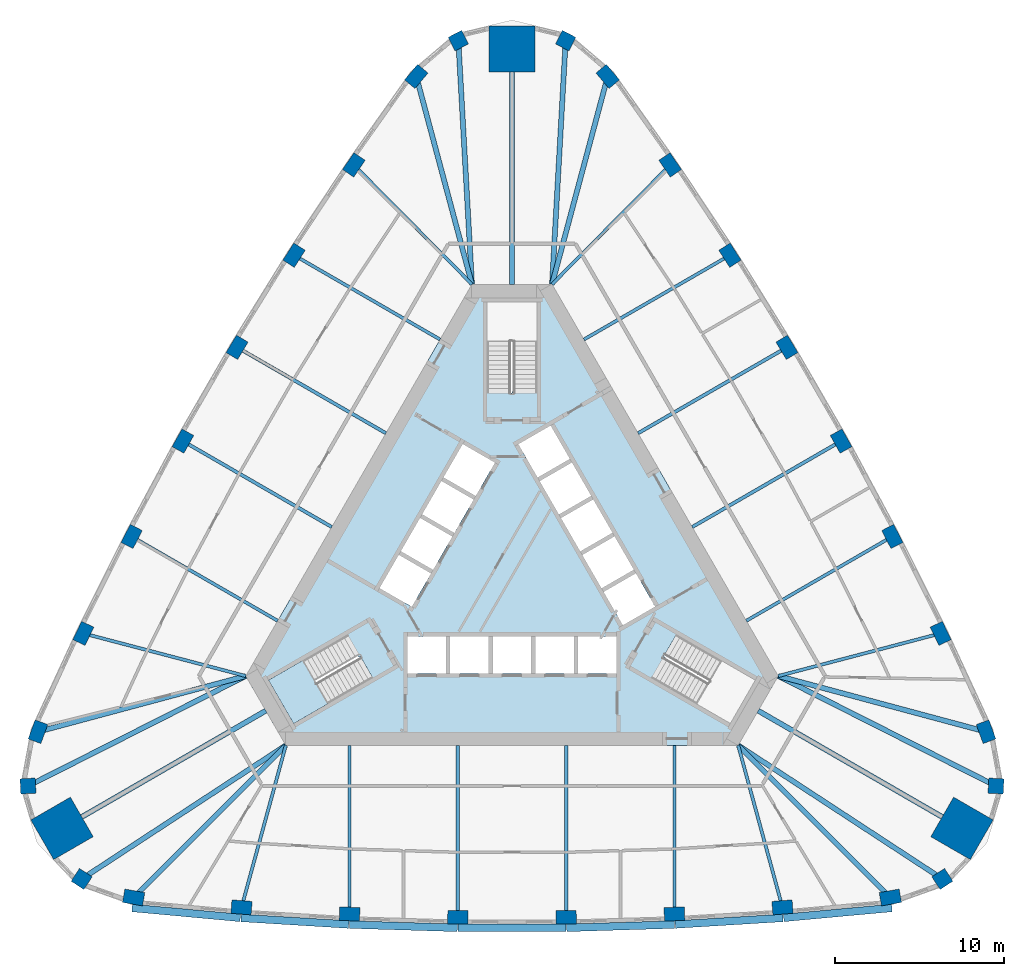
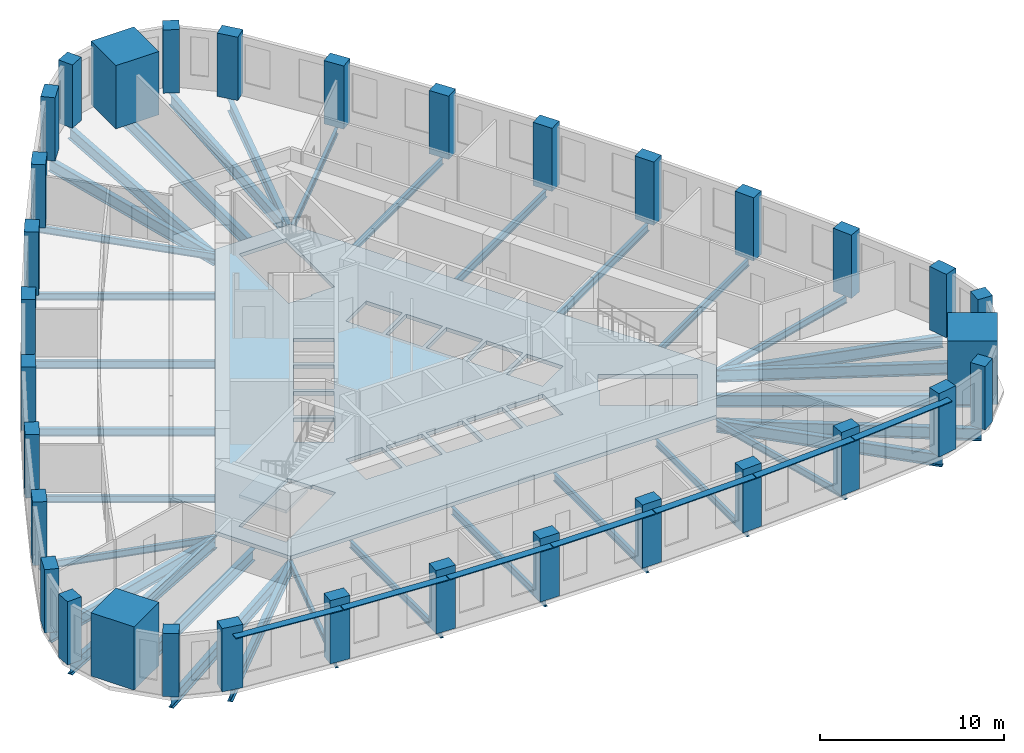
# One storey, part 1 of 10: 33 beams, 33 columns, 7 members, 2 slabs, 1 element without a shape of its own.
"""IFC4 building model written with IfcOpenShell, lengths in metres."""

from ifc_helpers import new_model, si_unit, direction, frame, origin, origin_2d, place, context, subcontext, project, spatial, polyline, rectangle, i_section, outline, extrude, material, layer, layer_set, material_profile, profile_set, type_object, element, aggregate, save


model = new_model("IFC4")

# Units and contexts
model_context = context("Model", 3, precision=1e-05, world=origin(), true_north=direction((0.0, 1.0)))
body_context = subcontext(model_context, "Body", "Model", "MODEL_VIEW")
ifc_project = project(units=[si_unit("LENGTHUNIT", "METRE"), si_unit("AREAUNIT", "SQUARE_METRE"), si_unit("VOLUMEUNIT", "CUBIC_METRE"), si_unit("PLANEANGLEUNIT", "RADIAN"), si_unit("MASSUNIT", "GRAM", prefix="KILO")], contexts=[model_context])

# Site, building, storey
site_placement = place(None, origin())
site = spatial("IfcSite", under=ifc_project, at=site_placement, CompositionType="ELEMENT")
building_placement = place(site_placement, origin())
building = spatial("IfcBuilding", under=site, at=building_placement, Name="Mestral Congress Tower", CompositionType="ELEMENT")
storey_placement = place(building_placement, frame((0.0, 0.0, 141.60009765625)))
storey = spatial("IfcBuildingStorey", under=building, at=storey_placement, Name="L33", CompositionType="ELEMENT", Elevation=141.60009765625)

# Columns
ifc_material_1 = material(Name="Concrete C60/75", Category="concrete")
ifc_material_profile_1 = material_profile(ifc_material_1, rectangle(XDim=1.199951171875, YDim=0.800048828125, at=origin_2d()), Name="RC 1200x800")
ifc_profile_set_1 = profile_set([ifc_material_profile_1], Name="Concrete C60/75")
column_type_1 = type_object("IfcColumnType", Name="Column RC 1200x800 C60/75", PredefinedType="COLUMN", material=ifc_profile_set_1)
for number, where, z_axis, x_axis, name in (
    (1, (-22.357421875, -19.437255859375, 0.0), (0.0, 0.0, 1.0), (0.984571054206, -0.17498525429, 0.0), "COL-L33-C3-S00"),
    (2, (-15.984619140625, -20.0224609375, 0.0), (0.0, 0.0, 1.0), (0.997089725995, -0.076236987842, 0.0), "COL-L33-C3-S01"),
    (3, (-9.5966796875, -20.412841796875, 0.0), (0.0, 0.0, 1.0), (0.998951959915, -0.045770970953, 0.0), "COL-L33-C3-S02"),
    (4, (-3.199951171875, -20.608154296875, 0.0), (0.0, 0.0, 1.0), (0.999883524137, -0.015262311717, 0.0), "COL-L33-C3-S03"),
    (5, (3.199951171875, -20.608154296875, 0.0), (0.0, 0.0, 1.0), (0.999883524137, 0.015262311717, 0.0), "COL-L33-C3-S04"),
    (6, (9.5966796875, -20.412841796875, 0.0), (0.0, 0.0, 1.0), (0.998951959915, 0.045770970953, 0.0), "COL-L33-C3-S05"),
    (7, (15.984619140625, -20.0224609375, 0.0), (0.0, 0.0, 1.0), (0.997089725995, 0.076236987842, 0.0), "COL-L33-C3-S06"),
    (8, (22.357421875, -19.437255859375, 0.0), (0.0, 0.0, 1.0), (0.984571054206, 0.17498525429, 0.0), "COL-L33-C3-S07"),
    (9, (28.01171875, -9.6435546875, 0.0), (0.0, 0.0, 1.0), (-0.340743851601, 0.940156171918, 0.0), "COL-L33-C3-E00"),
    (10, (25.332275390625, -3.831787109375, 0.0), (0.0, 0.0, 1.0), (-0.432521694818, 0.901623526485, 0.0), "COL-L33-C3-E01"),
    (11, (22.476318359375, 1.8955078125, 0.0), (0.0, 0.0, 1.0), (-0.459837156356, 0.888003259923, 0.0), "COL-L33-C3-E02"),
    (12, (19.447265625, 7.532958984375, 0.0), (0.0, 0.0, 1.0), (-0.486724212401, 0.873555688587, 0.0), "COL-L33-C3-E03"),
    (13, (16.247314453125, 13.0751953125, 0.0), (0.0, 0.0, 1.0), (-0.513159311736, 0.85829337687, 0.0), "COL-L33-C3-E04"),
    (14, (12.8798828125, 18.517333984375, 0.0), (0.0, 0.0, 1.0), (-0.539114803559, 0.84223228897, 0.0), "COL-L33-C3-E05"),
    (15, (9.34765625, 23.854248046875, 0.0), (0.0, 0.0, 1.0), (-0.564568031177, 0.825386538643, 0.0), "COL-L33-C3-E06"),
    (16, (5.654296875, 29.080810546875, 0.0), (0.0, 0.0, 1.0), (-0.643827202606, 0.765170917629, 0.0), "COL-L33-C3-E07"),
    (17, (-5.654296875, 29.080810546875, 0.0), (0.0, 0.0, 1.0), (-0.643827202606, -0.765170917629, 0.0), "COL-L33-C3-W00"),
    (18, (-9.34765625, 23.854248046875, 0.0), (0.0, 0.0, 1.0), (-0.564568031177, -0.825386538643, 0.0), "COL-L33-C3-W01"),
    (19, (-12.8798828125, 18.517333984375, 0.0), (0.0, 0.0, 1.0), (-0.539114803559, -0.84223228897, 0.0), "COL-L33-C3-W02"),
    (20, (-16.247314453125, 13.0751953125, 0.0), (0.0, 0.0, 1.0), (-0.513159311736, -0.85829337687, 0.0), "COL-L33-C3-W03"),
    (21, (-19.447265625, 7.532958984375, 0.0), (0.0, 0.0, 1.0), (-0.486724212401, -0.873555688587, 0.0), "COL-L33-C3-W04"),
    (22, (-22.476318359375, 1.8955078125, 0.0), (0.0, 0.0, 1.0), (-0.459837156356, -0.888003259923, 0.0), "COL-L33-C3-W05"),
    (23, (-25.332275390625, -3.831787109375, 0.0), (0.0, 0.0, 1.0), (-0.432521694818, -0.901623526485, 0.0), "COL-L33-C3-W06"),
    (24, (-28.01171875, -9.6435546875, 0.0), (0.0, 0.0, 1.0), (-0.340743851601, -0.940156171918, 0.0), "COL-L33-C3-W07"),
):
    element("IfcColumn", number, at=place(storey_placement, frame(where, z_axis=z_axis, x_axis=x_axis)), inside=storey, type_object=column_type_1, Name=name, PredefinedType="COLUMN", context=body_context, shape_type="SweptSolid", body=[
        extrude(rectangle(XDim=1.199951171875, YDim=0.800048828125, at=origin_2d()), origin(), (0.0, 0.0, 1.0), 4.199951171875),
    ])
ifc_material_profile_2 = material_profile(ifc_material_1, rectangle(XDim=0.89990234375, YDim=0.89990234375, at=origin_2d()), Name="RC 900x900")
ifc_profile_set_2 = profile_set([ifc_material_profile_2], Name="Concrete C60/75")
column_type_2 = type_object("IfcColumnType", Name="Column RC 900x900 C60/75", PredefinedType="COLUMN", material=ifc_profile_set_2)
for number, where, z_axis, x_axis, name in (
    (25, (25.4296875, -18.34375, 0.0), (0.0, 0.0, 1.0), (0.838094050847, 0.545525766518, 0.0), "COL-L33-C3-SE1"),
    (26, (28.60107421875, -12.850830078125, 0.0), (0.0, 0.0, 1.0), (0.0533921468, 0.998573622053, 0.0), "COL-L33-C3-SE3"),
    (27, (3.17138671875, 31.194580078125, 0.0), (0.0, 0.0, 1.0), (-0.891486197647, 0.453047855535, 0.0), "COL-L33-C3-N1"),
    (28, (-3.17138671875, 31.194580078125, 0.0), (0.0, 0.0, 1.0), (-0.891486197647, -0.453047855535, 0.0), "COL-L33-C3-N3"),
    (29, (-28.60107421875, -12.850830078125, 0.0), (0.0, 0.0, 1.0), (0.0533921468, -0.998573622053, 0.0), "COL-L33-C3-SW1"),
    (30, (-25.4296875, -18.34375, 0.0), (0.0, 0.0, 1.0), (0.838094050847, -0.545525766518, 0.0), "COL-L33-C3-SW3"),
):
    element("IfcColumn", number, at=place(storey_placement, frame(where, z_axis=z_axis, x_axis=x_axis)), inside=storey, type_object=column_type_2, Name=name, PredefinedType="COLUMN", context=body_context, shape_type="SweptSolid", body=[
        extrude(rectangle(XDim=0.89990234375, YDim=0.89990234375, at=origin_2d()), origin(), (0.0, 0.0, 1.0), 4.199951171875),
    ])
ifc_material_2 = material(Name="Concrete C70/85", Category="concrete")
ifc_material_profile_3 = material_profile(ifc_material_2, rectangle(XDim=2.699951171875, YDim=2.699951171875, at=origin_2d()), Name="RC 2700x2700")
ifc_profile_set_3 = profile_set([ifc_material_profile_3], Name="Concrete C70/85")
column_type_3 = type_object("IfcColumnType", Name="Mega column RC 2700x2700 C70/85", PredefinedType="COLUMN", material=ifc_profile_set_3)
for number, where, z_axis, x_axis, name in (
    (31, (26.590576171875, -15.35205078125, 0.0), (0.0, 0.0, 1.0), (0.866025403784, -0.5, 0.0), "COL-L33-PY3-SE"),
    (32, (0.0, 30.7041015625, 0.0), (0.0, 0.0, 1.0), (0.0, 1.0, 0.0), "COL-L33-PY3-N"),
    (33, (-26.590576171875, -15.35205078125, 0.0), (0.0, 0.0, 1.0), (-0.866025403784, -0.5, 0.0), "COL-L33-PY3-SW"),
):
    element("IfcColumn", number, at=place(storey_placement, frame(where, z_axis=z_axis, x_axis=x_axis)), inside=storey, type_object=column_type_3, Name=name, PredefinedType="COLUMN", context=body_context, shape_type="SweptSolid", body=[
        extrude(rectangle(XDim=2.699951171875, YDim=2.699951171875, at=origin_2d()), origin(), (0.0, 0.0, 1.0), 4.199951171875),
    ])

# Members
ifc_material_3 = material(Name="Glazed ceramic", Category="masonry")
ifc_material_profile_4 = material_profile(ifc_material_3, rectangle(XDim=0.449951171875, YDim=0.06005859375, at=origin_2d()), Name="Ceramic blade 450 x 60")
ifc_profile_set_4 = profile_set([ifc_material_profile_4], Name="Glazed ceramic")
member_type = type_object("IfcMemberType", Name="Facade sunshade blade 450 x 60", PredefinedType="USERDEFINED", material=ifc_profile_set_4)
member_1_placement = place(storey_placement, frame((-22.451171875, -20.05615234375, 3.679931640625), z_axis=(0.995809919347, -0.091447277326, 0.0), x_axis=(0.091447277326, 0.995809919347, 0.0)))
element("IfcMember", 34, at=member_1_placement, inside=storey, type_object=member_type, Name="Sunshade F0-00", ObjectType="SUNSHADE", PredefinedType="USERDEFINED", context=body_context, shape_type="SweptSolid", body=[
    extrude(rectangle(XDim=0.449951171875, YDim=0.06005859375, at=origin_2d()), origin(), (0.0, 0.0, 1.0), 6.42333984375),
])
member_2_placement = place(storey_placement, frame((-16.009521484375, -20.647216796875, 3.679931640625), z_axis=(0.998138940399, -0.06098078107, 0.0), x_axis=(0.06098078107, 0.998138940399, 0.0)))
element("IfcMember", 35, at=member_2_placement, inside=storey, type_object=member_type, Name="Sunshade F0-01", ObjectType="SUNSHADE", PredefinedType="USERDEFINED", context=body_context, shape_type="SweptSolid", body=[
    extrude(rectangle(XDim=0.449951171875, YDim=0.06005859375, at=origin_2d()), origin(), (0.0, 0.0, 1.0), 6.373779296875),
])
for number, where, z_axis, x_axis, name in (
    (36, (-9.6025390625, -21.0380859375, 3.679931640625), (0.999535044007, -0.03049091343, 0.0), (0.03049091343, 0.999535044007, 0.0), "Sunshade F0-02"),
    (37, (-3.186767578125, -21.233154296875, 3.679931640625), (1.0, 0.0, 0.0), (0.0, 1.0, 0.0), "Sunshade F0-03"),
    (38, (3.23193359375, -21.232421875, 3.679931640625), (0.999535044007, 0.03049091343, 0.0), (-0.03049091343, 0.999535044007, 0.0), "Sunshade F0-04"),
):
    element("IfcMember", number, at=place(storey_placement, frame(where, z_axis=z_axis, x_axis=x_axis)), inside=storey, type_object=member_type, Name=name, ObjectType="SUNSHADE", PredefinedType="USERDEFINED", context=body_context, shape_type="SweptSolid", body=[
        extrude(rectangle(XDim=0.449951171875, YDim=0.06005859375, at=origin_2d()), origin(), (0.0, 0.0, 1.0), 6.37353515625),
    ])
member_3_placement = place(storey_placement, frame((9.647705078125, -21.035888671875, 3.679931640625), z_axis=(0.998138940399, 0.06098078107, 0.0), x_axis=(-0.06098078107, 0.998138940399, 0.0)))
element("IfcMember", 39, at=member_3_placement, inside=storey, type_object=member_type, Name="Sunshade F0-05", ObjectType="SUNSHADE", PredefinedType="USERDEFINED", context=body_context, shape_type="SweptSolid", body=[
    extrude(rectangle(XDim=0.449951171875, YDim=0.06005859375, at=origin_2d()), origin(), (0.0, 0.0, 1.0), 6.373779296875),
])
member_4_placement = place(storey_placement, frame((16.0546875, -20.6435546875, 3.679931640625), z_axis=(0.995809919347, 0.091447277326, 0.0), x_axis=(-0.091447277326, 0.995809919347, 0.0)))
element("IfcMember", 40, at=member_4_placement, inside=storey, type_object=member_type, Name="Sunshade F0-06", ObjectType="SUNSHADE", PredefinedType="USERDEFINED", context=body_context, shape_type="SweptSolid", body=[
    extrude(rectangle(XDim=0.449951171875, YDim=0.06005859375, at=origin_2d()), origin(), (0.0, 0.0, 1.0), 6.42333984375),
])

# Beams
ifc_material_4 = material(Name="Steel S355", Category="steel")
ifc_material_profile_5 = material_profile(ifc_material_4, i_section(OverallWidth=0.300048828125, OverallDepth=0.800048828125, WebThickness=0.017578125, FlangeThickness=0.032958984375, FilletRadius=0.030029296875, at=origin_2d()), Name="HEB 800")
ifc_profile_set_5 = profile_set([ifc_material_profile_5], Name="Steel S355")
beam_type_1 = type_object("IfcBeamType", Name="Floor beam HEB 800 S355", PredefinedType="BEAM", material=ifc_profile_set_5)
for number, where, z_axis, x_axis, name in (
    (41, (-22.357421875, -19.437255859375, -0.650146484375), (0.707279595154, 0.706933924974, 0.0), (-0.706933924974, 0.707279595154, 0.0), "BM-L33-RB3-S00"),
    (42, (22.357421875, -19.437255859375, -0.650146484375), (-0.707279595154, 0.706933924974, 0.0), (-0.706933924974, -0.707279595154, 0.0), "BM-L33-RB3-S07"),
):
    element("IfcBeam", number, at=place(storey_placement, frame(where, z_axis=z_axis, x_axis=x_axis)), inside=storey, type_object=beam_type_1, Name=name, PredefinedType="BEAM", context=body_context, shape_type="SweptSolid", body=[
        extrude(i_section(OverallWidth=0.300048828125, OverallDepth=0.800048828125, WebThickness=0.017578125, FlangeThickness=0.032958984375, FilletRadius=0.030029296875, at=origin_2d()), origin(), (0.0, 0.0, 1.0), 12.713134765625),
    ])
beam_1_placement = place(storey_placement, frame((25.4296875, -18.34375, -0.650146484375), z_axis=(-0.836784606531, 0.547532211174, 0.0), x_axis=(-0.547532211174, -0.836784606531, 0.0)))
element("IfcBeam", 43, at=beam_1_placement, inside=storey, type_object=beam_type_1, Name="BM-L33-RB3-SE1", PredefinedType="BEAM", context=body_context, shape_type="SweptSolid", body=[
    extrude(i_section(OverallWidth=0.300048828125, OverallDepth=0.800048828125, WebThickness=0.017578125, FlangeThickness=0.032958984375, FilletRadius=0.030029296875, at=origin_2d()), origin(), (0.0, 0.0, 1.0), 14.4169921875),
])
beam_2_placement = place(storey_placement, frame((26.590576171875, -15.35205078125, -0.650146484375), z_axis=(-0.866033538886, 0.499985909326, 0.0), x_axis=(-0.499985909326, -0.866033538886, 0.0)))
element("IfcBeam", 44, at=beam_2_placement, inside=storey, type_object=beam_type_1, Name="BM-L33-RB3-SE", PredefinedType="BEAM", context=body_context, shape_type="SweptSolid", body=[
    extrude(i_section(OverallWidth=0.300048828125, OverallDepth=0.800048828125, WebThickness=0.017578125, FlangeThickness=0.032958984375, FilletRadius=0.030029296875, at=origin_2d()), origin(), (0.0, 0.0, 1.0), 13.904296875),
])
beam_3_placement = place(storey_placement, frame((28.60107421875, -12.850830078125, -0.650146484375), z_axis=(-0.892570324635, 0.450908211924, 0.0), x_axis=(-0.450908211924, -0.892570324635, 0.0)))
element("IfcBeam", 45, at=beam_3_placement, inside=storey, type_object=beam_type_1, Name="BM-L33-RB3-SE3", PredefinedType="BEAM", context=body_context, shape_type="SweptSolid", body=[
    extrude(i_section(OverallWidth=0.300048828125, OverallDepth=0.800048828125, WebThickness=0.017578125, FlangeThickness=0.032958984375, FilletRadius=0.030029296875, at=origin_2d()), origin(), (0.0, 0.0, 1.0), 14.4169921875),
])
beam_4_placement = place(storey_placement, frame((28.01171875, -9.6435546875, -0.650146484375), z_axis=(-0.965859716189, 0.259065645433, 0.0), x_axis=(-0.259065645433, -0.965859716189, 0.0)))
element("IfcBeam", 46, at=beam_4_placement, inside=storey, type_object=beam_type_1, Name="BM-L33-RB3-E00", PredefinedType="BEAM", context=body_context, shape_type="SweptSolid", body=[
    extrude(i_section(OverallWidth=0.300048828125, OverallDepth=0.800048828125, WebThickness=0.017578125, FlangeThickness=0.032958984375, FilletRadius=0.030029296875, at=origin_2d()), origin(), (0.0, 0.0, 1.0), 12.712890625),
])
beam_5_placement = place(storey_placement, frame((5.654296875, 29.080810546875, -0.650146484375), z_axis=(-0.258561377452, -0.965994831296, 0.0), x_axis=(0.965994831296, -0.258561377452, 0.0)))
element("IfcBeam", 47, at=beam_5_placement, inside=storey, type_object=beam_type_1, Name="BM-L33-RB3-E07", PredefinedType="BEAM", context=body_context, shape_type="SweptSolid", body=[
    extrude(i_section(OverallWidth=0.300048828125, OverallDepth=0.800048828125, WebThickness=0.017578125, FlangeThickness=0.032958984375, FilletRadius=0.030029296875, at=origin_2d()), origin(), (0.0, 0.0, 1.0), 12.713134765625),
])
beam_6_placement = place(storey_placement, frame((3.17138671875, 31.194580078125, -0.650146484375), z_axis=(-0.055781398587, -0.99844300567, 0.0), x_axis=(0.99844300567, -0.055781398587, 0.0)))
element("IfcBeam", 48, at=beam_6_placement, inside=storey, type_object=beam_type_1, Name="BM-L33-RB3-N1", PredefinedType="BEAM", context=body_context, shape_type="SweptSolid", body=[
    extrude(i_section(OverallWidth=0.300048828125, OverallDepth=0.800048828125, WebThickness=0.017578125, FlangeThickness=0.032958984375, FilletRadius=0.030029296875, at=origin_2d()), origin(), (0.0, 0.0, 1.0), 14.4169921875),
])
beam_7_placement = place(storey_placement, frame((0.0, 30.7041015625, -0.650146484375), z_axis=(0.0, -1.0, 0.0), x_axis=(1.0, 0.0, 0.0)))
element("IfcBeam", 49, at=beam_7_placement, inside=storey, type_object=beam_type_1, Name="BM-L33-RB3-N", PredefinedType="BEAM", context=body_context, shape_type="SweptSolid", body=[
    extrude(i_section(OverallWidth=0.300048828125, OverallDepth=0.800048828125, WebThickness=0.017578125, FlangeThickness=0.032958984375, FilletRadius=0.030029296875, at=origin_2d()), origin(), (0.0, 0.0, 1.0), 13.904052734375),
])
beam_8_placement = place(storey_placement, frame((-3.17138671875, 31.194580078125, -0.650146484375), z_axis=(0.055781398587, -0.99844300567, 0.0), x_axis=(0.99844300567, 0.055781398587, 0.0)))
element("IfcBeam", 50, at=beam_8_placement, inside=storey, type_object=beam_type_1, Name="BM-L33-RB3-N3", PredefinedType="BEAM", context=body_context, shape_type="SweptSolid", body=[
    extrude(i_section(OverallWidth=0.300048828125, OverallDepth=0.800048828125, WebThickness=0.017578125, FlangeThickness=0.032958984375, FilletRadius=0.030029296875, at=origin_2d()), origin(), (0.0, 0.0, 1.0), 14.4169921875),
])
beam_9_placement = place(storey_placement, frame((-5.654296875, 29.080810546875, -0.650146484375), z_axis=(0.258561377452, -0.965994831296, 0.0), x_axis=(0.965994831296, 0.258561377452, 0.0)))
element("IfcBeam", 51, at=beam_9_placement, inside=storey, type_object=beam_type_1, Name="BM-L33-RB3-W00", PredefinedType="BEAM", context=body_context, shape_type="SweptSolid", body=[
    extrude(i_section(OverallWidth=0.300048828125, OverallDepth=0.800048828125, WebThickness=0.017578125, FlangeThickness=0.032958984375, FilletRadius=0.030029296875, at=origin_2d()), origin(), (0.0, 0.0, 1.0), 12.713134765625),
])
beam_10_placement = place(storey_placement, frame((-28.01171875, -9.6435546875, -0.650146484375), z_axis=(0.965859716189, 0.259065645433, 0.0), x_axis=(-0.259065645433, 0.965859716189, 0.0)))
element("IfcBeam", 52, at=beam_10_placement, inside=storey, type_object=beam_type_1, Name="BM-L33-RB3-W07", PredefinedType="BEAM", context=body_context, shape_type="SweptSolid", body=[
    extrude(i_section(OverallWidth=0.300048828125, OverallDepth=0.800048828125, WebThickness=0.017578125, FlangeThickness=0.032958984375, FilletRadius=0.030029296875, at=origin_2d()), origin(), (0.0, 0.0, 1.0), 12.712890625),
])
beam_11_placement = place(storey_placement, frame((-28.60107421875, -12.850830078125, -0.650146484375), z_axis=(0.892570324635, 0.450908211924, 0.0), x_axis=(-0.450908211924, 0.892570324635, 0.0)))
element("IfcBeam", 53, at=beam_11_placement, inside=storey, type_object=beam_type_1, Name="BM-L33-RB3-SW1", PredefinedType="BEAM", context=body_context, shape_type="SweptSolid", body=[
    extrude(i_section(OverallWidth=0.300048828125, OverallDepth=0.800048828125, WebThickness=0.017578125, FlangeThickness=0.032958984375, FilletRadius=0.030029296875, at=origin_2d()), origin(), (0.0, 0.0, 1.0), 14.4169921875),
])
beam_12_placement = place(storey_placement, frame((-26.590576171875, -15.35205078125, -0.650146484375), z_axis=(0.866033538886, 0.499985909326, 0.0), x_axis=(-0.499985909326, 0.866033538886, 0.0)))
element("IfcBeam", 54, at=beam_12_placement, inside=storey, type_object=beam_type_1, Name="BM-L33-RB3-SW", PredefinedType="BEAM", context=body_context, shape_type="SweptSolid", body=[
    extrude(i_section(OverallWidth=0.300048828125, OverallDepth=0.800048828125, WebThickness=0.017578125, FlangeThickness=0.032958984375, FilletRadius=0.030029296875, at=origin_2d()), origin(), (0.0, 0.0, 1.0), 13.904296875),
])
beam_13_placement = place(storey_placement, frame((-25.4296875, -18.34375, -0.650146484375), z_axis=(0.836784606531, 0.547532211174, 0.0), x_axis=(-0.547532211174, 0.836784606531, 0.0)))
element("IfcBeam", 55, at=beam_13_placement, inside=storey, type_object=beam_type_1, Name="BM-L33-RB3-SW3", PredefinedType="BEAM", context=body_context, shape_type="SweptSolid", body=[
    extrude(i_section(OverallWidth=0.300048828125, OverallDepth=0.800048828125, WebThickness=0.017578125, FlangeThickness=0.032958984375, FilletRadius=0.030029296875, at=origin_2d()), origin(), (0.0, 0.0, 1.0), 14.4169921875),
])
ifc_material_profile_6 = material_profile(ifc_material_4, i_section(OverallWidth=0.18994140625, OverallDepth=0.449951171875, WebThickness=0.009521484375, FlangeThickness=0.0146484375, FilletRadius=0.02099609375, at=origin_2d()), Name="IPE 450")
ifc_profile_set_6 = profile_set([ifc_material_profile_6], Name="Steel S355")
beam_type_2 = type_object("IfcBeamType", Name="Floor beam IPE 450 S355", PredefinedType="BEAM", material=ifc_profile_set_6)
beam_14_placement = place(storey_placement, frame((-15.984619140625, -20.0224609375, -0.47509765625), z_axis=(0.263887500815, 0.964553465036, 0.0), x_axis=(-0.964553465036, 0.263887500815, 0.0)))
element("IfcBeam", 56, at=beam_14_placement, inside=storey, type_object=beam_type_2, Name="BM-L33-RB3-S01", PredefinedType="BEAM", context=body_context, shape_type="SweptSolid", body=[
    extrude(i_section(OverallWidth=0.18994140625, OverallDepth=0.449951171875, WebThickness=0.009521484375, FlangeThickness=0.0146484375, FilletRadius=0.02099609375, at=origin_2d()), origin(), (0.0, 0.0, 1.0), 9.92431640625),
])
for number, where, z_axis, x_axis, name in (
    (57, (-9.5966796875, -20.412841796875, -0.47509765625), (0.0, 1.0, 0.0), (-1.0, 0.0, 0.0), "BM-L33-RB3-S02"),
    (58, (9.5966796875, -20.412841796875, -0.47509765625), (0.0, 1.0, 0.0), (-1.0, 0.0, 0.0), "BM-L33-RB3-S05"),
):
    element("IfcBeam", number, at=place(storey_placement, frame(where, z_axis=z_axis, x_axis=x_axis)), inside=storey, type_object=beam_type_2, Name=name, PredefinedType="BEAM", context=body_context, shape_type="SweptSolid", body=[
        extrude(i_section(OverallWidth=0.18994140625, OverallDepth=0.449951171875, WebThickness=0.009521484375, FlangeThickness=0.0146484375, FilletRadius=0.02099609375, at=origin_2d()), origin(), (0.0, 0.0, 1.0), 9.962890625),
    ])
for number, where, z_axis, x_axis, name in (
    (59, (15.984619140625, -20.0224609375, -0.47509765625), (-0.263887500815, 0.964553465036, 0.0), (-0.964553465036, -0.263887500815, 0.0), "BM-L33-RB3-S06"),
    (60, (25.332275390625, -3.831787109375, -0.47509765625), (-0.967268637676, -0.253754571521, 0.0), (0.253754571521, -0.967268637676, 0.0), "BM-L33-RB3-E01"),
):
    element("IfcBeam", number, at=place(storey_placement, frame(where, z_axis=z_axis, x_axis=x_axis)), inside=storey, type_object=beam_type_2, Name=name, PredefinedType="BEAM", context=body_context, shape_type="SweptSolid", body=[
        extrude(i_section(OverallWidth=0.18994140625, OverallDepth=0.449951171875, WebThickness=0.009521484375, FlangeThickness=0.0146484375, FilletRadius=0.02099609375, at=origin_2d()), origin(), (0.0, 0.0, 1.0), 9.92431640625),
    ])
beam_15_placement = place(storey_placement, frame((22.476318359375, 1.8955078125, -0.47509765625), z_axis=(-0.866020719064, -0.500008114086, 0.0), x_axis=(0.500008114086, -0.866020719064, 0.0)))
element("IfcBeam", 61, at=beam_15_placement, inside=storey, type_object=beam_type_2, Name="BM-L33-RB3-E02", PredefinedType="BEAM", context=body_context, shape_type="SweptSolid", body=[
    extrude(i_section(OverallWidth=0.18994140625, OverallDepth=0.449951171875, WebThickness=0.009521484375, FlangeThickness=0.0146484375, FilletRadius=0.02099609375, at=origin_2d()), origin(), (0.0, 0.0, 1.0), 9.962646484375),
])
beam_16_placement = place(storey_placement, frame((12.8798828125, 18.517333984375, -0.47509765625), z_axis=(-0.866026845417, -0.49999750301, 0.0), x_axis=(0.49999750301, -0.866026845417, 0.0)))
element("IfcBeam", 62, at=beam_16_placement, inside=storey, type_object=beam_type_2, Name="BM-L33-RB3-E05", PredefinedType="BEAM", context=body_context, shape_type="SweptSolid", body=[
    extrude(i_section(OverallWidth=0.18994140625, OverallDepth=0.449951171875, WebThickness=0.009521484375, FlangeThickness=0.0146484375, FilletRadius=0.02099609375, at=origin_2d()), origin(), (0.0, 0.0, 1.0), 9.962890625),
])
for number, where, z_axis, x_axis, name in (
    (63, (9.34765625, 23.854248046875, -0.47509765625), (-0.703382322759, -0.710811724741, 0.0), (0.710811724741, -0.703382322759, 0.0), "BM-L33-RB3-E06"),
    (64, (-9.34765625, 23.854248046875, -0.47509765625), (0.703382322759, -0.710811724741, 0.0), (0.710811724741, 0.703382322759, 0.0), "BM-L33-RB3-W01"),
):
    element("IfcBeam", number, at=place(storey_placement, frame(where, z_axis=z_axis, x_axis=x_axis)), inside=storey, type_object=beam_type_2, Name=name, PredefinedType="BEAM", context=body_context, shape_type="SweptSolid", body=[
        extrude(i_section(OverallWidth=0.18994140625, OverallDepth=0.449951171875, WebThickness=0.009521484375, FlangeThickness=0.0146484375, FilletRadius=0.02099609375, at=origin_2d()), origin(), (0.0, 0.0, 1.0), 9.924072265625),
    ])
beam_17_placement = place(storey_placement, frame((-12.8798828125, 18.517333984375, -0.47509765625), z_axis=(0.866026845417, -0.49999750301, 0.0), x_axis=(0.49999750301, 0.866026845417, 0.0)))
element("IfcBeam", 65, at=beam_17_placement, inside=storey, type_object=beam_type_2, Name="BM-L33-RB3-W02", PredefinedType="BEAM", context=body_context, shape_type="SweptSolid", body=[
    extrude(i_section(OverallWidth=0.18994140625, OverallDepth=0.449951171875, WebThickness=0.009521484375, FlangeThickness=0.0146484375, FilletRadius=0.02099609375, at=origin_2d()), origin(), (0.0, 0.0, 1.0), 9.962890625),
])
beam_18_placement = place(storey_placement, frame((-22.476318359375, 1.8955078125, -0.47509765625), z_axis=(0.866020719064, -0.500008114086, 0.0), x_axis=(0.500008114086, 0.866020719064, 0.0)))
element("IfcBeam", 66, at=beam_18_placement, inside=storey, type_object=beam_type_2, Name="BM-L33-RB3-W05", PredefinedType="BEAM", context=body_context, shape_type="SweptSolid", body=[
    extrude(i_section(OverallWidth=0.18994140625, OverallDepth=0.449951171875, WebThickness=0.009521484375, FlangeThickness=0.0146484375, FilletRadius=0.02099609375, at=origin_2d()), origin(), (0.0, 0.0, 1.0), 9.962646484375),
])
beam_19_placement = place(storey_placement, frame((-25.332275390625, -3.831787109375, -0.47509765625), z_axis=(0.967268637676, -0.253754571521, 0.0), x_axis=(0.253754571521, 0.967268637676, 0.0)))
element("IfcBeam", 67, at=beam_19_placement, inside=storey, type_object=beam_type_2, Name="BM-L33-RB3-W06", PredefinedType="BEAM", context=body_context, shape_type="SweptSolid", body=[
    extrude(i_section(OverallWidth=0.18994140625, OverallDepth=0.449951171875, WebThickness=0.009521484375, FlangeThickness=0.0146484375, FilletRadius=0.02099609375, at=origin_2d()), origin(), (0.0, 0.0, 1.0), 9.92431640625),
])
ifc_material_profile_7 = material_profile(ifc_material_4, i_section(OverallWidth=0.199951171875, OverallDepth=0.5, WebThickness=0.01025390625, FlangeThickness=0.01611328125, FilletRadius=0.02099609375, at=origin_2d()), Name="IPE 500")
ifc_profile_set_7 = profile_set([ifc_material_profile_7], Name="Steel S355")
beam_type_3 = type_object("IfcBeamType", Name="Floor beam IPE 500 S355", PredefinedType="BEAM", material=ifc_profile_set_7)
for number, where, z_axis, x_axis, name in (
    (68, (-3.199951171875, -20.608154296875, -0.5), (0.0, 1.0, 0.0), (-1.0, 0.0, 0.0), "BM-L33-RB3-S03"),
    (69, (3.199951171875, -20.608154296875, -0.5), (0.0, 1.0, 0.0), (-1.0, 0.0, 0.0), "BM-L33-RB3-S04"),
    (70, (19.447265625, 7.532958984375, -0.5), (-0.866027897259, -0.49999568115, 0.0), (0.49999568115, -0.866027897259, 0.0), "BM-L33-RB3-E03"),
    (71, (16.247314453125, 13.0751953125, -0.5), (-0.866027897259, -0.49999568115, 0.0), (0.49999568115, -0.866027897259, 0.0), "BM-L33-RB3-E04"),
    (72, (-16.247314453125, 13.0751953125, -0.5), (0.866027897259, -0.49999568115, 0.0), (0.49999568115, 0.866027897259, 0.0), "BM-L33-RB3-W03"),
    (73, (-19.447265625, 7.532958984375, -0.5), (0.866027897259, -0.49999568115, 0.0), (0.49999568115, 0.866027897259, 0.0), "BM-L33-RB3-W04"),
):
    element("IfcBeam", number, at=place(storey_placement, frame(where, z_axis=z_axis, x_axis=x_axis)), inside=storey, type_object=beam_type_3, Name=name, PredefinedType="BEAM", context=body_context, shape_type="SweptSolid", body=[
        extrude(i_section(OverallWidth=0.199951171875, OverallDepth=0.5, WebThickness=0.01025390625, FlangeThickness=0.01611328125, FilletRadius=0.02099609375, at=origin_2d()), origin(), (0.0, 0.0, 1.0), 10.158203125),
    ])

# Slab
ifc_layer_1 = layer(ifc_material_1, 0.25)
ifc_layer_set_1 = layer_set([ifc_layer_1], Name="Concrete C60/75")
slab_type_1 = type_object("IfcSlabType", Name="Core floor slab RC 250", PredefinedType="FLOOR", material=ifc_layer_set_1)
slab_1_placement = place(storey_placement, frame((0.0, 0.0, -0.25)))
element("IfcSlab", 74, at=slab_1_placement, inside=storey, type_object=slab_type_1, Name="L33 core floor", PredefinedType="FLOOR", context=body_context, shape_type="SweptSolid", body=[
    extrude(outline(polyline([(13.36572265625, -10.449951171875), (-13.36572265625, -10.449951171875), (-15.73291015625, -6.35009765625), (-2.3671875, 16.800048828125), (2.3671875, 16.800048828125), (15.73291015625, -6.35009765625), (13.36572265625, -10.449951171875)]), holes=[polyline([(-9.8046875, -3.95751953125), (-14.37744140625, -6.59765625), (-12.90234375, -9.15234375), (-8.234619140625, -6.45751953125), (-8.971923828125, -5.179931640625), (-9.0673828125, -5.235107421875), (-9.8046875, -3.95751953125)]), polyline([(-3.905029296875, -4.0), (-6.175048828125, -4.0), (-6.175048828125, -6.199951171875), (-3.905029296875, -6.199951171875), (-3.905029296875, -4.0)]), polyline([(-1.385009765625, -4.0), (-3.655029296875, -4.0), (-3.655029296875, -6.199951171875), (-1.385009765625, -6.199951171875), (-1.385009765625, -4.0)]), polyline([(1.135009765625, -4.0), (-1.135009765625, -4.0), (-1.135009765625, -6.199951171875), (1.135009765625, -6.199951171875), (1.135009765625, -4.0)]), polyline([(-5.921630859375, -2.256591796875), (-4.78662109375, -0.29052734375), (-6.69189453125, 0.809326171875), (-7.826904296875, -1.156494140625), (-5.921630859375, -2.256591796875)]), polyline([(-4.66162109375, -0.07421875), (-3.526611328125, 1.8916015625), (-5.431884765625, 2.99169921875), (-6.56689453125, 1.02587890625), (-4.66162109375, -0.07421875)]), polyline([(-3.401611328125, 2.1083984375), (-2.2666015625, 4.07421875), (-4.171875, 5.174072265625), (-5.306884765625, 3.208251953125), (-3.401611328125, 2.1083984375)]), polyline([(-2.1416015625, 4.29052734375), (-1.006591796875, 6.256591796875), (-2.911865234375, 7.3564453125), (-4.046875, 5.390625), (-2.1416015625, 4.29052734375)]), polyline([(1.47509765625, 10.469970703125), (1.47509765625, 15.75), (-1.47509765625, 15.75), (-1.47509765625, 10.360107421875), (0.0, 10.360107421875), (0.0, 10.469970703125), (1.47509765625, 10.469970703125)]), polyline([(8.329833984375, -6.512451171875), (12.90234375, -9.15234375), (14.37744140625, -6.59765625), (9.70947265625, -3.902587890625), (8.971923828125, -5.179931640625), (9.0673828125, -5.235107421875), (8.329833984375, -6.512451171875)]), polyline([(3.655029296875, -4.0), (1.385009765625, -4.0), (1.385009765625, -6.199951171875), (3.655029296875, -6.199951171875), (3.655029296875, -4.0)]), polyline([(6.175048828125, -4.0), (3.905029296875, -4.0), (3.905029296875, -6.199951171875), (6.175048828125, -6.199951171875), (6.175048828125, -4.0)]), polyline([(5.41650390625, -1.3818359375), (6.551513671875, -3.34765625), (8.456787109375, -2.247802734375), (7.322021484375, -0.28173828125), (5.41650390625, -1.3818359375)]), polyline([(4.156494140625, 0.800537109375), (5.29150390625, -1.165283203125), (7.197021484375, -0.065185546875), (6.06201171875, 1.900634765625), (4.156494140625, 0.800537109375)]), polyline([(2.896484375, 2.98291015625), (4.031494140625, 1.01708984375), (5.93701171875, 2.1171875), (4.802001953125, 4.0830078125), (2.896484375, 2.98291015625)]), polyline([(3.5419921875, 6.265380859375), (1.63671875, 5.165283203125), (2.771484375, 3.199462890625), (4.677001953125, 4.29931640625), (3.5419921875, 6.265380859375)]), polyline([(2.281982421875, 8.44775390625), (0.376708984375, 7.34765625), (1.51171875, 5.3818359375), (3.4169921875, 6.481689453125), (2.281982421875, 8.44775390625)])]), origin(), (0.0, 0.0, 1.0), 0.25),
])

# Stair, slab
stair_type = type_object("IfcStairType", Name="Exit stair 1400", PredefinedType="HALF_TURN_STAIR", material=ifc_material_1)
stair_placement = place(storey_placement, origin())
stair = element("IfcStair", 75, at=stair_placement, inside=storey, type_object=stair_type, Name="L33 ST3", PredefinedType="HALF_TURN_STAIR")
ifc_layer_2 = layer(ifc_material_1, 0.199951171875)
ifc_layer_set_2 = layer_set([ifc_layer_2], Name="Concrete C60/75")
slab_type_2 = type_object("IfcSlabType", Name="Exit stair landing 200", PredefinedType="LANDING", material=ifc_layer_set_2)
slab_2_placement = place(storey_placement, frame((0.0, 0.0, 1.89990234375)))
slab_2 = element("IfcSlab", 76, at=slab_2_placement, type_object=slab_type_2, Name="ST3 landing 1", PredefinedType="LANDING", context=body_context, shape_type="SweptSolid", body=[
    extrude(outline(polyline([(-12.364501953125, -5.424072265625), (-10.879638671875, -7.99609375), (-12.906005859375, -9.166015625), (-14.39111328125, -6.593994140625), (-12.364501953125, -5.424072265625)])), origin(), (0.0, 0.0, 1.0), 0.199951171875),
])
aggregate(stair, [slab_2])

save(model, "model.ifc")
